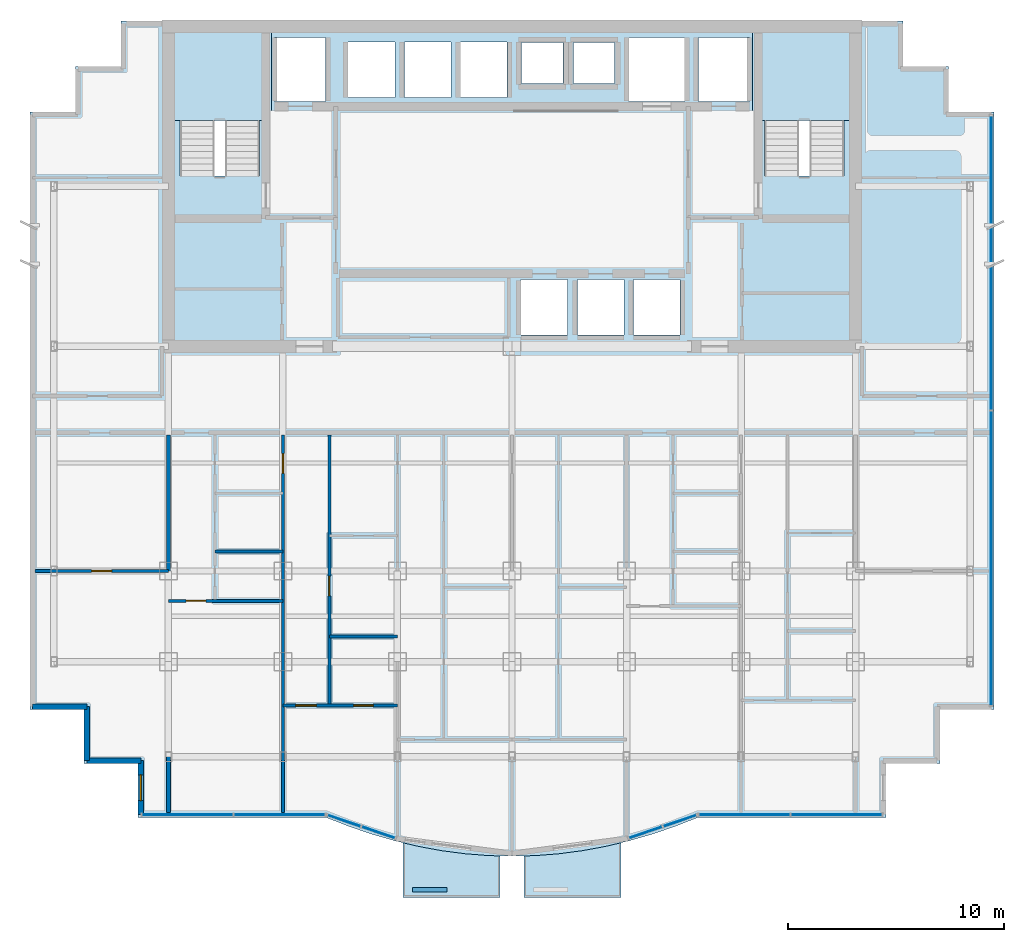
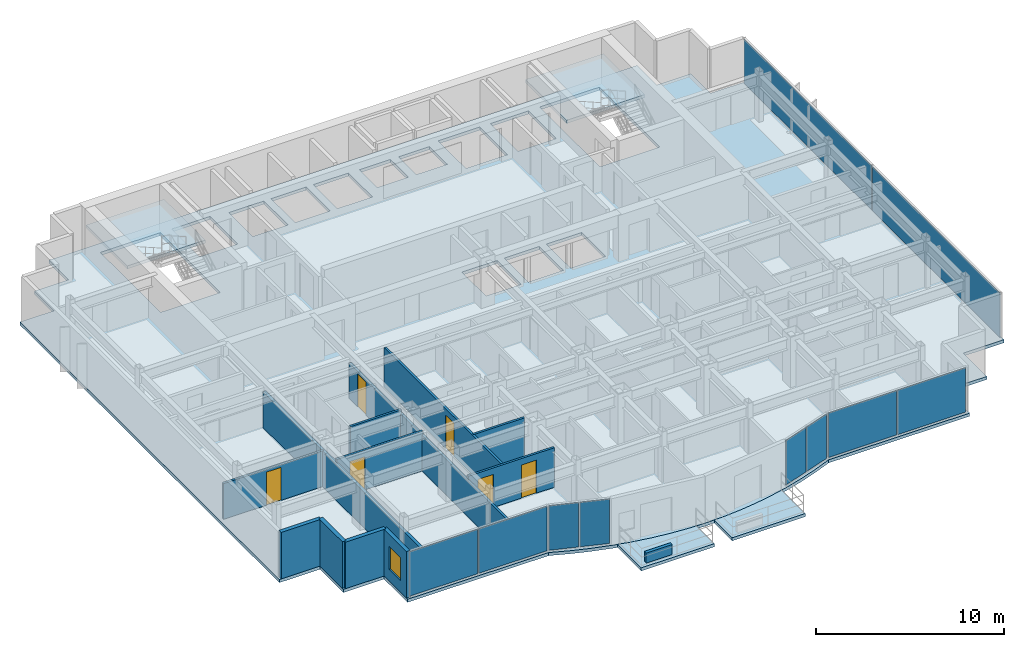
# One storey, part 7 of 13: 13 walls, 10 plates, 6 doors, 5 slabs, 1 window, 7 openings, 7 elements without a shape of their own.
"""IFC4 building model written with IfcOpenShell, lengths in metres."""

from ifc_helpers import new_model, si_unit, direction, frame, frame_2d, origin, origin_2d, place, context, subcontext, project, spatial, polyline, rectangle, outline, extrude, source, transform, mapped, material, layer, layer_set, type_object, element, fill, aggregate, save


model = new_model("IFC4")

# Units and contexts
model_context = context("Model", 3, precision=1e-05, world=origin(), true_north=direction((0.0, 1.0)))
body_context = subcontext(model_context, "Body", "Model", "MODEL_VIEW")
ifc_project = project(units=[si_unit("LENGTHUNIT", "METRE"), si_unit("AREAUNIT", "SQUARE_METRE"), si_unit("VOLUMEUNIT", "CUBIC_METRE"), si_unit("PLANEANGLEUNIT", "RADIAN"), si_unit("MASSUNIT", "GRAM", prefix="KILO")], contexts=[model_context])

# Site, building, storey
site_placement = place(None, origin())
site = spatial("IfcSite", under=ifc_project, at=site_placement, CompositionType="ELEMENT")
building_placement = place(site_placement, origin())
building = spatial("IfcBuilding", under=site, at=building_placement, Name="Qianlan Lanfeng Residences", CompositionType="ELEMENT")
storey_placement = place(building_placement, frame((0.0, 0.0, 182.10009765625)))
storey = spatial("IfcBuildingStorey", under=building, at=storey_placement, Name="L50", CompositionType="ELEMENT", Elevation=182.10009765625)

# Slabs
ifc_material_1 = material(Name="Concrete C42", Category="concrete")
ifc_layer_1 = layer(ifc_material_1, 0.199951171875)
ifc_layer_set_1 = layer_set([ifc_layer_1], Name="Concrete C42")
slab_type_1 = type_object("IfcSlabType", Name="S-BAL-200", PredefinedType="FLOOR", material=ifc_layer_set_1)
slab_1_placement = place(storey_placement, frame((0.0, 0.0, -0.2001953125)))
element("IfcSlab", 1, at=slab_1_placement, inside=storey, type_object=slab_type_1, Name="L50 Planted Tree Balcony Slab SB-W", PredefinedType="FLOOR", context=body_context, shape_type="SweptSolid", body=[
    extrude(outline(polyline([(25.949951171875, 1.614013671875), (25.422119140625, 1.6279296875), (24.344970703125, 1.712890625), (23.26708984375, 1.85302734375), (22.18994140625, 2.050048828125), (21.449951171875, 2.22412109375), (21.449951171875, -0.300048828125), (25.949951171875, -0.300048828125), (25.949951171875, 1.614013671875)])), origin(), (0.0, 0.0, 1.0), 0.2001953125),
])
slab_2_placement = place(storey_placement, frame((0.0, 0.0, -0.2001953125)))
element("IfcSlab", 2, at=slab_2_placement, inside=storey, type_object=slab_type_1, Name="L50 Planted Tree Balcony Slab SB-E", PredefinedType="FLOOR", context=body_context, shape_type="SweptSolid", body=[
    extrude(outline(polyline([(31.550048828125, 2.22412109375), (30.81005859375, 2.050048828125), (29.73193359375, 1.85302734375), (28.655029296875, 1.7119140625), (27.577880859375, 1.6279296875), (27.050048828125, 1.614013671875), (27.050048828125, -0.300048828125), (31.550048828125, -0.300048828125), (31.550048828125, 2.22412109375)])), origin(), (0.0, 0.0, 1.0), 0.2001953125),
])
ifc_layer_2 = layer(ifc_material_1, 0.199951171875)
ifc_layer_set_2 = layer_set([ifc_layer_2], Name="Concrete C42")
slab_type_2 = type_object("IfcSlabType", Name="S-FL-200", PredefinedType="FLOOR", material=ifc_layer_set_2)
slab_3_placement = place(storey_placement, frame((0.0, 0.0, -0.2001953125)))
element("IfcSlab", 3, at=slab_3_placement, inside=storey, type_object=slab_type_2, Name="L50 Structural Floor Slab", PredefinedType="FLOOR", context=body_context, shape_type="SweptSolid", body=[
    extrude(outline(polyline([(4.199951171875, 8.39990234375), (6.699951171875, 8.39990234375), (6.699951171875, 5.89990234375), (9.199951171875, 5.89990234375), (9.199951171875, 3.39990234375), (17.8798828125, 3.39990234375), (18.95703125, 2.97802734375), (20.034912109375, 2.612060546875), (21.112060546875, 2.302978515625), (22.18994140625, 2.050048828125), (23.26708984375, 1.85302734375), (24.344970703125, 1.712890625), (25.422119140625, 1.6279296875), (26.5, 1.60009765625), (27.577880859375, 1.6279296875), (28.655029296875, 1.7119140625), (29.73193359375, 1.85302734375), (30.81005859375, 2.050048828125), (31.886962890625, 2.302978515625), (32.965087890625, 2.612060546875), (34.0419921875, 2.97802734375), (35.1201171875, 3.39990234375), (43.800048828125, 3.39990234375), (43.800048828125, 5.89990234375), (46.300048828125, 5.89990234375), (46.300048828125, 8.39990234375), (48.800048828125, 8.39990234375), (48.800048828125, 36.050048828125), (46.699951171875, 36.050048828125), (46.699951171875, 38.14990234375), (44.60009765625, 38.14990234375), (44.60009765625, 40.25), (8.39990234375, 40.25), (8.39990234375, 38.14990234375), (6.300048828125, 38.14990234375), (6.300048828125, 36.050048828125), (4.199951171875, 36.050048828125), (4.199951171875, 8.39990234375)]), holes=[polyline([(11.139892578125, 33.080078125), (11.139892578125, 39.5), (14.820068359375, 39.5), (14.820068359375, 33.080078125), (11.139892578125, 33.080078125)]), polyline([(38.179931640625, 33.080078125), (38.179931640625, 39.5), (41.860107421875, 39.5), (41.860107421875, 33.080078125), (38.179931640625, 33.080078125)]), polyline([(15.52001953125, 36.52001953125), (15.52001953125, 39.47998046875), (17.8798828125, 39.47998046875), (17.8798828125, 36.52001953125), (15.52001953125, 36.52001953125)]), polyline([(35.1201171875, 36.52001953125), (35.1201171875, 39.47998046875), (37.47998046875, 39.47998046875), (37.47998046875, 36.52001953125), (35.1201171875, 36.52001953125)]), polyline([(31.919921875, 36.52001953125), (31.919921875, 39.47998046875), (34.47998046875, 39.47998046875), (34.47998046875, 36.52001953125), (31.919921875, 36.52001953125)]), polyline([(26.919921875, 25.719970703125), (26.919921875, 28.280029296875), (29.080078125, 28.280029296875), (29.080078125, 25.719970703125), (26.919921875, 25.719970703125)]), polyline([(29.52001953125, 25.719970703125), (29.52001953125, 28.280029296875), (31.679931640625, 28.280029296875), (31.679931640625, 25.719970703125), (29.52001953125, 25.719970703125)]), polyline([(32.1201171875, 25.719970703125), (32.1201171875, 28.280029296875), (34.280029296875, 28.280029296875), (34.280029296875, 25.719970703125), (32.1201171875, 25.719970703125)]), polyline([(18.919921875, 36.719970703125), (18.919921875, 39.280029296875), (21.080078125, 39.280029296875), (21.080078125, 36.719970703125), (18.919921875, 36.719970703125)]), polyline([(21.52001953125, 36.719970703125), (21.52001953125, 39.280029296875), (23.679931640625, 39.280029296875), (23.679931640625, 36.719970703125), (21.52001953125, 36.719970703125)]), polyline([(24.1201171875, 36.719970703125), (24.1201171875, 39.280029296875), (26.280029296875, 39.280029296875), (26.280029296875, 36.719970703125), (24.1201171875, 36.719970703125)]), polyline([(26.949951171875, 37.35009765625), (26.949951171875, 39.25), (28.85009765625, 39.25), (28.85009765625, 37.35009765625), (26.949951171875, 37.35009765625)]), polyline([(29.35009765625, 37.35009765625), (29.35009765625, 39.25), (31.25, 39.25), (31.25, 37.35009765625), (29.35009765625, 37.35009765625)])]), origin(), (0.0, 0.0, 1.0), 0.2001953125),
])

# Stair, slab
stair_type = type_object("IfcStairType", Name="STR-MAIN", PredefinedType="HALF_TURN_STAIR", material=ifc_material_1)
stair_1_placement = place(storey_placement, origin())
stair_1 = element("IfcStair", 4, at=stair_1_placement, inside=storey, type_object=stair_type, Name="L50 Exit Stair ST-1", PredefinedType="HALF_TURN_STAIR")
ifc_layer_3 = layer(ifc_material_1, 0.179931640625)
ifc_layer_set_3 = layer_set([ifc_layer_3], Name="Concrete C42")
slab_type_3 = type_object("IfcSlabType", Name="S-LND-180", PredefinedType="LANDING", material=ifc_layer_set_3)
slab_4_placement = place(storey_placement, frame((0.0, 0.0, 1.449951171875)))
slab_4 = element("IfcSlab", 5, at=slab_4_placement, type_object=slab_type_3, Name="ST-1 landing 1", PredefinedType="LANDING", context=body_context, shape_type="SweptSolid", body=[
    extrude(outline(polyline([(10.580078125, 35.659912109375), (15.3798828125, 35.659912109375), (15.3798828125, 40.050048828125), (10.580078125, 40.050048828125), (10.580078125, 35.659912109375)])), origin(), (0.0, 0.0, 1.0), 0.199951171875),
])
aggregate(stair_1, [slab_4])

stair_2_placement = place(storey_placement, origin())
stair_2 = element("IfcStair", 6, at=stair_2_placement, inside=storey, type_object=stair_type, Name="L50 Exit Stair ST-2", PredefinedType="HALF_TURN_STAIR")
slab_5_placement = place(storey_placement, frame((0.0, 0.0, 1.449951171875)))
slab_5 = element("IfcSlab", 7, at=slab_5_placement, type_object=slab_type_3, Name="ST-2 landing 1", PredefinedType="LANDING", context=body_context, shape_type="SweptSolid", body=[
    extrude(outline(polyline([(37.6201171875, 35.659912109375), (42.419921875, 35.659912109375), (42.419921875, 40.050048828125), (37.6201171875, 40.050048828125), (37.6201171875, 35.659912109375)])), origin(), (0.0, 0.0, 1.0), 0.199951171875),
])
aggregate(stair_2, [slab_5])

# Curtain wall, plates
ifc_material_2 = material(Name="Anodised Bronze Aluminium 6063-T6", Category="aluminium")
ifc_layer_4 = layer(ifc_material_2, 0.219970703125)
ifc_layer_set_4 = layer_set([ifc_layer_4], Name="Anodised Bronze Aluminium 6063-T6")
curtain_wall_type = type_object("IfcCurtainWallType", Name="CW-04", PredefinedType="NOTDEFINED", material=ifc_layer_set_4)
curtain_wall_1_placement = place(storey_placement, origin())
curtain_wall_1 = element("IfcCurtainWall", 8, at=curtain_wall_1_placement, inside=storey, type_object=curtain_wall_type, Name="L50 Unitised Curtain Wall CWR-L50-01 (CW-04)", PredefinedType="NOTDEFINED")
ifc_material_3 = material(Name="Dark Bronze Tinted Insulated Glass", Category="glass")
ifc_layer_5 = layer(ifc_material_3, 0.0380859375)
ifc_layer_set_5 = layer_set([ifc_layer_5], Name="Dark Bronze Tinted Insulated Glass")
plate_type_1 = type_object("IfcPlateType", Name="PNL-GLZ-BRZ", PredefinedType="CURTAIN_PANEL", material=ifc_layer_set_5)
shared_shape_1 = source(origin(), body_context, "Body", "SweptSolid", [
    extrude(rectangle(XDim=4.180908203125, YDim=0.0380859375, at=origin_2d()), origin(), (0.0, 0.0, 1.0), 2.882080078125),
])
plate_1_placement = place(storey_placement, frame((11.484619140625, 3.52001953125, 0.07373046875), z_axis=(0.0, 0.0, 1.0), x_axis=(1.0, 0.0, 0.0)))
plate_1 = element("IfcPlate", 9, at=plate_1_placement, type_object=plate_type_1, Name="CWR-L50-01 Curtain Panel 1", PredefinedType="CURTAIN_PANEL", context=body_context, shape_type="MappedRepresentation", body=[
    mapped(shared_shape_1, transform((0.0, 0.0, 0.0), scale=1.0)),
])
plate_2_placement = place(storey_placement, frame((15.738525390625, 3.52001953125, 0.07373046875), z_axis=(0.0, 0.0, 1.0), x_axis=(1.0, 0.0, 0.0)))
plate_2 = element("IfcPlate", 10, at=plate_2_placement, type_object=plate_type_1, Name="CWR-L50-01 Curtain Panel 2", PredefinedType="CURTAIN_PANEL", context=body_context, shape_type="MappedRepresentation", body=[
    mapped(shared_shape_1, transform((0.0, 0.0, 0.0), scale=1.0)),
])
aggregate(curtain_wall_1, [plate_1, plate_2])

# Curtain wall, plate
curtain_wall_2_placement = place(storey_placement, origin())
curtain_wall_2 = element("IfcCurtainWall", 11, at=curtain_wall_2_placement, inside=storey, type_object=curtain_wall_type, Name="L50 Unitised Curtain Wall CWR-L50-04 (CW-04)", PredefinedType="NOTDEFINED")
plate_3_placement = place(storey_placement, frame((37.261474609375, 3.52001953125, 0.07373046875), z_axis=(0.0, 0.0, 1.0), x_axis=(1.0, 0.0, 0.0)))
plate_3 = element("IfcPlate", 12, at=plate_3_placement, type_object=plate_type_1, Name="CWR-L50-04 Curtain Panel 1", PredefinedType="CURTAIN_PANEL", context=body_context, shape_type="MappedRepresentation", body=[
    mapped(shared_shape_1, transform((0.0, 0.0, 0.0), scale=1.0)),
])

# Curtain wall, plates
curtain_wall_3_placement = place(storey_placement, origin())
curtain_wall_3 = element("IfcCurtainWall", 13, at=curtain_wall_3_placement, inside=storey, type_object=curtain_wall_type, Name="L50 Unitised Curtain Wall CWR-L50-02 (CW-04)", PredefinedType="NOTDEFINED")
shared_shape_2 = source(origin(), body_context, "Body", "SweptSolid", [
    extrude(rectangle(XDim=1.60009765625, YDim=0.0380859375, at=origin_2d()), origin(), (0.0, 0.0, 1.0), 2.882080078125),
])
plate_4_placement = place(storey_placement, frame((18.73046875, 3.23876953125, 0.07373046875), z_axis=(0.0, 0.0, 1.0), x_axis=(0.946795963885, -0.321834433787, 0.0)))
plate_4 = element("IfcPlate", 14, at=plate_4_placement, type_object=plate_type_1, Name="CWR-L50-02 Curtain Panel 1", PredefinedType="CURTAIN_PANEL", context=body_context, shape_type="MappedRepresentation", body=[
    mapped(shared_shape_2, transform((0.0, 0.0, 0.0), scale=1.0)),
])
ifc_material_4 = material(Name="Perforated Champagne Gold Aluminium Panel", Category="aluminium")
ifc_layer_6 = layer(ifc_material_4, 0.0400390625)
ifc_layer_set_6 = layer_set([ifc_layer_6], Name="Perforated Champagne Gold Aluminium Panel")
plate_type_2 = type_object("IfcPlateType", Name="PNL-PRF-GLD", PredefinedType="CURTAIN_PANEL", material=ifc_layer_set_6)
shared_shape_3 = source(origin(), body_context, "Body", "SweptSolid", [
    extrude(rectangle(XDim=1.60009765625, YDim=0.0400390625, at=origin_2d()), origin(), (0.0, 0.0, 1.0), 2.882080078125),
])
plate_5_placement = place(storey_placement, frame((20.314453125, 2.7001953125, 0.07373046875), z_axis=(0.0, 0.0, 1.0), x_axis=(0.946795963885, -0.321834433787, 0.0)))
plate_5 = element("IfcPlate", 15, at=plate_5_placement, type_object=plate_type_2, Name="CWR-L50-02 Curtain Panel 2", PredefinedType="CURTAIN_PANEL", context=body_context, shape_type="MappedRepresentation", body=[
    mapped(shared_shape_3, transform((0.0, 0.0, 0.0), scale=1.0)),
])
aggregate(curtain_wall_3, [plate_4, plate_5])

curtain_wall_4_placement = place(storey_placement, origin())
curtain_wall_4 = element("IfcCurtainWall", 16, at=curtain_wall_4_placement, inside=storey, type_object=curtain_wall_type, Name="L50 Unitised Curtain Wall CWR-L50-03 (CW-04)", PredefinedType="NOTDEFINED")
shared_shape_4 = source(origin(), body_context, "Body", "SweptSolid", [
    extrude(rectangle(XDim=1.6005859375, YDim=0.0380859375, at=origin_2d()), origin(), (0.0, 0.0, 1.0), 2.882080078125),
])
plate_6_placement = place(storey_placement, frame((32.684814453125, 2.7001953125, 0.07373046875), z_axis=(0.0, 0.0, 1.0), x_axis=(0.946826291861, 0.32174519894, 0.0)))
plate_6 = element("IfcPlate", 17, at=plate_6_placement, type_object=plate_type_1, Name="CWR-L50-03 Curtain Panel 1", PredefinedType="CURTAIN_PANEL", context=body_context, shape_type="MappedRepresentation", body=[
    mapped(shared_shape_4, transform((0.0, 0.0, 0.0), scale=1.0)),
])
plate_7_placement = place(storey_placement, frame((34.269287109375, 3.23876953125, 0.07373046875), z_axis=(0.0, 0.0, 1.0), x_axis=(0.946826291861, 0.32174519894, 0.0)))
plate_7 = element("IfcPlate", 18, at=plate_7_placement, type_object=plate_type_1, Name="CWR-L50-03 Curtain Panel 2", PredefinedType="CURTAIN_PANEL", context=body_context, shape_type="MappedRepresentation", body=[
    mapped(shared_shape_4, transform((0.0, 0.0, 0.0), scale=1.0)),
])
aggregate(curtain_wall_4, [plate_6, plate_7])

# Plate
shared_shape_5 = source(origin(), body_context, "Body", "SweptSolid", [
    extrude(rectangle(XDim=4.180908203125, YDim=0.0400390625, at=origin_2d()), origin(), (0.0, 0.0, 1.0), 2.882080078125),
])
plate_8_placement = place(storey_placement, frame((41.515380859375, 3.52001953125, 0.07373046875), z_axis=(0.0, 0.0, 1.0), x_axis=(1.0, 0.0, 0.0)))
plate_8 = element("IfcPlate", 19, at=plate_8_placement, type_object=plate_type_2, Name="CWR-L50-04 Curtain Panel 2", PredefinedType="CURTAIN_PANEL", context=body_context, shape_type="MappedRepresentation", body=[
    mapped(shared_shape_5, transform((0.0, 0.0, 0.0), scale=1.0)),
])

aggregate(curtain_wall_2, [plate_3, plate_8])

# Curtain wall, plates
curtain_wall_5_placement = place(storey_placement, origin())
curtain_wall_5 = element("IfcCurtainWall", 20, at=curtain_wall_5_placement, inside=storey, type_object=curtain_wall_type, Name="L50 Unitised Curtain Wall CWR-L50-05 (CW-04)", PredefinedType="NOTDEFINED")
shared_shape_6 = source(origin(), body_context, "Body", "SweptSolid", [
    extrude(rectangle(XDim=13.594482421875, YDim=0.0380859375, at=origin_2d()), origin(), (0.0, 0.0, 1.0), 2.882080078125),
])
plate_9_placement = place(storey_placement, frame((48.679931640625, 15.39111328125, 0.07373046875), z_axis=(0.0, 0.0, 1.0), x_axis=(0.0, 1.0, 0.0)))
plate_9 = element("IfcPlate", 21, at=plate_9_placement, type_object=plate_type_1, Name="CWR-L50-05 Curtain Panel 1", PredefinedType="CURTAIN_PANEL", context=body_context, shape_type="MappedRepresentation", body=[
    mapped(shared_shape_6, transform((0.0, 0.0, 0.0), scale=1.0)),
])
plate_10_placement = place(storey_placement, frame((48.679931640625, 29.05859375, 0.07373046875), z_axis=(0.0, 0.0, 1.0), x_axis=(0.0, 1.0, 0.0)))
plate_10 = element("IfcPlate", 22, at=plate_10_placement, type_object=plate_type_1, Name="CWR-L50-05 Curtain Panel 2", PredefinedType="CURTAIN_PANEL", context=body_context, shape_type="MappedRepresentation", body=[
    mapped(shared_shape_6, transform((0.0, 0.0, 0.0), scale=1.0)),
])
aggregate(curtain_wall_5, [plate_9, plate_10])

# Walls
ifc_layer_7 = layer(ifc_material_1, 0.239990234375)
ifc_layer_set_7 = layer_set([ifc_layer_7], Name="Concrete C42")
wall_type_1 = type_object("IfcWallType", Name="EW-240", PredefinedType="SOLIDWALL", material=ifc_layer_set_7)
for number, where, z_axis, x_axis, name in (
    (23, (4.320068359375, 8.52001953125, 0.0), (0.0, 0.0, 1.0), (1.0, 0.0, 0.0), "L50 Exterior Facade Spandrel Wall 1"),
    (24, (6.820068359375, 8.52001953125, 0.0), (0.0, 0.0, 1.0), (0.0, -1.0, 0.0), "L50 Exterior Facade Spandrel Wall 2"),
    (25, (6.820068359375, 6.02001953125, 0.0), (0.0, 0.0, 1.0), (1.0, 0.0, 0.0), "L50 Exterior Facade Spandrel Wall 3"),
):
    element("IfcWall", number, at=place(storey_placement, frame(where, z_axis=z_axis, x_axis=x_axis)), inside=storey, type_object=wall_type_1, Name=name, PredefinedType="SOLIDWALL", context=body_context, shape_type="SweptSolid", body=[
        extrude(rectangle(XDim=2.5, YDim=0.239990234375, at=frame_2d((1.25, 0.0))), origin(), (0.0, 0.0, 1.0), 3.02978515625),
    ])

# Wall, opening, window
wall_1_placement = place(storey_placement, frame((9.320068359375, 6.02001953125, 0.0), z_axis=(0.0, 0.0, 1.0), x_axis=(0.0, -1.0, 0.0)))
wall_1 = element("IfcWall", 26, at=wall_1_placement, inside=storey, type_object=wall_type_1, Name="L50 Exterior Facade Spandrel Wall 4", PredefinedType="SOLIDWALL", context=body_context, shape_type="SweptSolid", body=[
    extrude(rectangle(XDim=2.5, YDim=0.239990234375, at=frame_2d((1.25, 0.0))), origin(), (0.0, 0.0, 1.0), 3.02978515625),
])
opening_1_placement = place(wall_1_placement, frame((0.64990234375, 0.0, 0.75)))
opening_1 = element("IfcOpeningElement", 27, at=opening_1_placement, cuts=wall_1, Name="Opening W-03", PredefinedType="OPENING", context=body_context, shape_type="SweptSolid", body=[
    extrude(rectangle(XDim=1.199951171875, YDim=1.5, at=frame_2d((0.60009765625, 0.75))), frame((0.0, 0.1298828125, 0.0), z_axis=(0.0, -1.0, 0.0), x_axis=(1.0, 0.0, 0.0)), (0.0, 0.0, 1.0), 0.260009765625),
])
ifc_material_5 = material(Name="Anodised Bronze Aluminium Framed Double Glazing", Category="aluminium")
window_type = type_object("IfcWindowType", Name="W-03", PartitioningType="SINGLE_PANEL", PredefinedType="WINDOW", material=ifc_material_5)
window_placement = place(opening_1_placement, origin())
window = element("IfcWindow", 28, at=window_placement, inside=storey, type_object=window_type, Name="L50 Facade Punched Window W-03", OverallHeight=1.5, OverallWidth=1.199951171875, PartitioningType="SINGLE_PANEL", PredefinedType="WINDOW", context=body_context, shape_type="SweptSolid", body=[
    extrude(rectangle(XDim=1.199951171875, YDim=1.5, at=frame_2d((0.60009765625, 0.75))), frame((0.0, 0.030029296875, 0.0), z_axis=(0.0, -1.0, 0.0), x_axis=(1.0, 0.0, 0.0)), (0.0, 0.0, 1.0), 0.06005859375),
])
fill(opening_1, window)

# Wall
ifc_layer_8 = layer(ifc_material_1, 0.199951171875)
ifc_layer_set_8 = layer_set([ifc_layer_8], Name="Concrete C42")
wall_type_2 = type_object("IfcWallType", Name="PL-TREE-200", PredefinedType="PARAPET", material=ifc_layer_set_8)
wall_2_placement = place(storey_placement, frame((21.89990234375, 0.050048828125, 0.0), z_axis=(0.0, 0.0, 1.0), x_axis=(1.0, 0.0, 0.0)))
element("IfcWall", 29, at=wall_2_placement, inside=storey, type_object=wall_type_2, Name="L50 Balcony Tree Planter Curb SB-W", PredefinedType="PARAPET", context=body_context, shape_type="SweptSolid", body=[
    extrude(rectangle(XDim=1.60009765625, YDim=0.199951171875, at=frame_2d((0.800048828125, 0.0))), origin(), (0.0, 0.0, 1.0), 0.64990234375),
])

# Wall, opening, door
ifc_material_6 = material(Name="Moisture-Resistant Gypsum Partition 135 mm")
ifc_layer_9 = layer(ifc_material_6, 0.135009765625)
ifc_layer_set_9 = layer_set([ifc_layer_9], Name="Moisture-Resistant Gypsum Partition 135 mm")
wall_type_3 = type_object("IfcWallType", Name="PW-135", PredefinedType="PARTITIONING", material=ifc_layer_set_9)
wall_3_placement = place(storey_placement, frame((15.89990234375, 3.6201171875, 0.0), z_axis=(0.0, 0.0, 1.0), x_axis=(0.0, 1.0, 0.0)))
wall_3 = element("IfcWall", 30, at=wall_3_placement, inside=storey, type_object=wall_type_3, Name="L50 U01 Bay Spine Wall 1", PredefinedType="PARTITIONING", context=body_context, shape_type="SweptSolid", body=[
    extrude(rectangle(XDim=17.47998046875, YDim=0.135009765625, at=frame_2d((8.739990234375, 0.0))), origin(), (0.0, 0.0, 1.0), 2.324951171875),
])
opening_2_placement = place(wall_3_placement, frame((15.695068359375, 0.0, 0.0)))
opening_2 = element("IfcOpeningElement", 31, at=opening_2_placement, cuts=wall_3, Name="Opening L50-D17", PredefinedType="OPENING", context=body_context, shape_type="SweptSolid", body=[
    extrude(rectangle(XDim=0.919921875, YDim=2.14990234375, at=frame_2d((0.4599609375, 1.074951171875))), frame((0.0, 0.07763671875, 0.0), z_axis=(0.0, -1.0, 0.0), x_axis=(1.0, 0.0, 0.0)), (0.0, 0.0, 1.0), 0.155029296875),
])
ifc_material_7 = material(Name="Glazed Timber Kitchen/Study Door", Category="wood")
door_type_1 = type_object("IfcDoorType", Name="DT-INT", OperationType="NOTDEFINED", PredefinedType="DOOR", material=ifc_material_7)
door_1_placement = place(opening_2_placement, origin())
door_1 = element("IfcDoor", 32, at=door_1_placement, inside=storey, type_object=door_type_1, Name="L50 U01 Internal Hall Door L50-D17 (DT-INT)", OperationType="SINGLE_SWING_RIGHT", OverallHeight=2.14990234375, OverallWidth=0.919921875, PredefinedType="DOOR", context=body_context, shape_type="SweptSolid", body=[
    extrude(rectangle(XDim=0.919921875, YDim=2.14990234375, at=frame_2d((0.4599609375, 1.074951171875))), frame((0.0, 0.02490234375, 0.0), z_axis=(0.0, -1.0, 0.0), x_axis=(1.0, 0.0, 0.0)), (0.0, 0.0, 1.0), 0.050048828125),
])
fill(opening_2, door_1)

wall_4_placement = place(storey_placement, frame((10.60009765625, 13.419921875, 0.0), z_axis=(0.0, 0.0, 1.0), x_axis=(1.0, 0.0, 0.0)))
wall_4 = element("IfcWall", 33, at=wall_4_placement, inside=storey, type_object=wall_type_3, Name="L50 U01 Living Divider", PredefinedType="PARTITIONING", context=body_context, shape_type="SweptSolid", body=[
    extrude(rectangle(XDim=5.2998046875, YDim=0.135009765625, at=frame_2d((2.64990234375, 0.0))), origin(), (0.0, 0.0, 1.0), 2.56982421875),
])
opening_3_placement = place(wall_4_placement, frame((0.81494140625, 0.0, 0.0)))
opening_3 = element("IfcOpeningElement", 34, at=opening_3_placement, cuts=wall_4, Name="Opening L50-D20", PredefinedType="OPENING", context=body_context, shape_type="SweptSolid", body=[
    extrude(rectangle(XDim=0.919921875, YDim=2.14990234375, at=frame_2d((0.4599609375, 1.074951171875))), frame((0.0, 0.07763671875, 0.0), z_axis=(0.0, -1.0, 0.0), x_axis=(1.0, 0.0, 0.0)), (0.0, 0.0, 1.0), 0.155029296875),
])
door_2_placement = place(opening_3_placement, origin())
door_2 = element("IfcDoor", 35, at=door_2_placement, inside=storey, type_object=door_type_1, Name="L50 U01 Living Passage Door L50-D20 (DT-INT)", OperationType="SINGLE_SWING_LEFT", OverallHeight=2.14990234375, OverallWidth=0.919921875, PredefinedType="DOOR", context=body_context, shape_type="SweptSolid", body=[
    extrude(rectangle(XDim=0.919921875, YDim=2.14990234375, at=frame_2d((0.4599609375, 1.074951171875))), frame((0.0, 0.02490234375, 0.0), z_axis=(0.0, -1.0, 0.0), x_axis=(1.0, 0.0, 0.0)), (0.0, 0.0, 1.0), 0.050048828125),
])
fill(opening_3, door_2)

# Wall
wall_5_placement = place(storey_placement, frame((12.75, 15.699951171875, 0.0), z_axis=(0.0, 0.0, 1.0), x_axis=(1.0, 0.0, 0.0)))
element("IfcWall", 36, at=wall_5_placement, inside=storey, type_object=wall_type_3, Name="L50 U01 Kitchen South Wall", PredefinedType="PARTITIONING", context=body_context, shape_type="SweptSolid", body=[
    extrude(rectangle(XDim=3.14990234375, YDim=0.135009765625, at=frame_2d((1.574951171875, 0.0))), origin(), (0.0, 0.0, 1.0), 2.56982421875),
])

# Wall, openings, doors
wall_6_placement = place(storey_placement, frame((15.89990234375, 8.573974609375, 0.0), z_axis=(0.0, 0.0, 1.0), x_axis=(1.0, 0.0, 0.0)))
wall_6 = element("IfcWall", 37, at=wall_6_placement, inside=storey, type_object=wall_type_3, Name="L50 U01 Master Bedroom North Wall", PredefinedType="PARTITIONING", context=body_context, shape_type="SweptSolid", body=[
    extrude(rectangle(XDim=5.300048828125, YDim=0.135009765625, at=frame_2d((2.64990234375, 0.0))), origin(), (0.0, 0.0, 1.0), 2.56982421875),
])
opening_4_placement = place(wall_6_placement, frame((0.60009765625, 0.0, 0.0)))
opening_4 = element("IfcOpeningElement", 38, at=opening_4_placement, cuts=wall_6, Name="Opening L50-D24", PredefinedType="OPENING", context=body_context, shape_type="SweptSolid", body=[
    extrude(rectangle(XDim=0.949951171875, YDim=2.14990234375, at=frame_2d((0.47509765625, 1.074951171875))), frame((0.0, 0.07763671875, 0.0), z_axis=(0.0, -1.0, 0.0), x_axis=(1.0, 0.0, 0.0)), (0.0, 0.0, 1.0), 0.155029296875),
])
opening_5_placement = place(wall_6_placement, frame((3.27490234375, 0.0, 0.0)))
opening_5 = element("IfcOpeningElement", 39, at=opening_5_placement, cuts=wall_6, Name="Opening L50-D25", PredefinedType="OPENING", context=body_context, shape_type="SweptSolid", body=[
    extrude(rectangle(XDim=0.89990234375, YDim=2.14990234375, at=frame_2d((0.449951171875, 1.074951171875))), frame((0.0, 0.07763671875, 0.0), z_axis=(0.0, -1.0, 0.0), x_axis=(1.0, 0.0, 0.0)), (0.0, 0.0, 1.0), 0.155029296875),
])
ifc_material_8 = material(Name="Painted Solid-Core Timber Leaf", Category="wood")
door_type_2 = type_object("IfcDoorType", Name="DT-BED", OperationType="NOTDEFINED", PredefinedType="DOOR", material=ifc_material_8)
door_3_placement = place(opening_4_placement, frame((0.949951171875, 0.0, 0.0), z_axis=(0.0, 0.0, 1.0), x_axis=(-1.0, 0.0, 0.0)))
door_3 = element("IfcDoor", 40, at=door_3_placement, inside=storey, type_object=door_type_2, Name="L50 U01 Master Bedroom Door L50-D24 (DT-BED)", OperationType="SINGLE_SWING_RIGHT", OverallHeight=2.14990234375, OverallWidth=0.949951171875, PredefinedType="DOOR", context=body_context, shape_type="SweptSolid", body=[
    extrude(rectangle(XDim=0.949951171875, YDim=2.14990234375, at=frame_2d((0.47509765625, 1.074951171875))), frame((0.0, 0.02490234375, 0.0), z_axis=(0.0, -1.0, 0.0), x_axis=(1.0, 0.0, 0.0)), (0.0, 0.0, 1.0), 0.050048828125),
])
fill(opening_4, door_3)
ifc_material_9 = material(Name="Moisture-Resistant Timber Leaf", Category="wood")
door_type_3 = type_object("IfcDoorType", Name="DT-WC", OperationType="NOTDEFINED", PredefinedType="DOOR", material=ifc_material_9)
door_4_placement = place(opening_5_placement, origin())
door_4 = element("IfcDoor", 41, at=door_4_placement, inside=storey, type_object=door_type_3, Name="L50 U01 En-Suite Bathroom Door L50-D25 (DT-WC)", OperationType="SINGLE_SWING_RIGHT", OverallHeight=2.14990234375, OverallWidth=0.89990234375, PredefinedType="DOOR", context=body_context, shape_type="SweptSolid", body=[
    extrude(rectangle(XDim=0.89990234375, YDim=2.14990234375, at=frame_2d((0.449951171875, 1.074951171875))), frame((0.0, 0.02490234375, 0.0), z_axis=(0.0, -1.0, 0.0), x_axis=(1.0, 0.0, 0.0)), (0.0, 0.0, 1.0), 0.050048828125),
])
fill(opening_5, door_4)

# Wall, opening, door
wall_7_placement = place(storey_placement, frame((18.050048828125, 8.573974609375, 0.0), z_axis=(0.0, 0.0, 1.0), x_axis=(0.0, 1.0, 0.0)))
wall_7 = element("IfcWall", 42, at=wall_7_placement, inside=storey, type_object=wall_type_3, Name="L50 U01 Master Passage Wall", PredefinedType="PARTITIONING", context=body_context, shape_type="SweptSolid", body=[
    extrude(rectangle(XDim=12.526123046875, YDim=0.135009765625, at=frame_2d((6.26318359375, 0.0))), origin(), (0.0, 0.0, 1.0), 2.56982421875),
])
opening_6_placement = place(wall_7_placement, frame((5.072021484375, 0.0, 0.0)))
opening_6 = element("IfcOpeningElement", 43, at=opening_6_placement, cuts=wall_7, Name="Opening L50-D26", PredefinedType="OPENING", context=body_context, shape_type="SweptSolid", body=[
    extrude(rectangle(XDim=0.919921875, YDim=2.14990234375, at=frame_2d((0.4599609375, 1.074951171875))), frame((0.0, 0.07763671875, 0.0), z_axis=(0.0, -1.0, 0.0), x_axis=(1.0, 0.0, 0.0)), (0.0, 0.0, 1.0), 0.155029296875),
])
door_5_placement = place(opening_6_placement, origin())
door_5 = element("IfcDoor", 44, at=door_5_placement, inside=storey, type_object=door_type_1, Name="L50 U01 Wardrobe Door L50-D26 (DT-INT)", OperationType="SINGLE_SWING_LEFT", OverallHeight=2.14990234375, OverallWidth=0.919921875, PredefinedType="DOOR", context=body_context, shape_type="SweptSolid", body=[
    extrude(rectangle(XDim=0.919921875, YDim=2.14990234375, at=frame_2d((0.4599609375, 1.074951171875))), frame((0.0, 0.02490234375, 0.0), z_axis=(0.0, -1.0, 0.0), x_axis=(1.0, 0.0, 0.0)), (0.0, 0.0, 1.0), 0.050048828125),
])
fill(opening_6, door_5)

# Wall
wall_8_placement = place(storey_placement, frame((18.050048828125, 11.77392578125, 0.0), z_axis=(0.0, 0.0, 1.0), x_axis=(1.0, 0.0, 0.0)))
element("IfcWall", 45, at=wall_8_placement, inside=storey, type_object=wall_type_3, Name="L50 U01 En-Suite North Wall", PredefinedType="PARTITIONING", context=body_context, shape_type="SweptSolid", body=[
    extrude(rectangle(XDim=3.14990234375, YDim=0.135009765625, at=frame_2d((1.574951171875, 0.0))), origin(), (0.0, 0.0, 1.0), 2.56982421875),
])

# Wall, opening, door
wall_9_placement = place(storey_placement, frame((4.419921875, 14.800048828125, 0.0), z_axis=(0.0, 0.0, 1.0), x_axis=(1.0, 0.0, 0.0)))
wall_9 = element("IfcWall", 46, at=wall_9_placement, inside=storey, type_object=wall_type_3, Name="L50 SWP Mid Partition", PredefinedType="PARTITIONING", context=body_context, shape_type="SweptSolid", body=[
    extrude(rectangle(XDim=6.18017578125, YDim=0.135009765625, at=frame_2d((3.090087890625, 0.0))), origin(), (0.0, 0.0, 1.0), 2.324951171875),
])
opening_7_placement = place(wall_9_placement, frame((2.6298828125, 0.0, 0.0)))
opening_7 = element("IfcOpeningElement", 47, at=opening_7_placement, cuts=wall_9, Name="Opening L50-D44", PredefinedType="OPENING", context=body_context, shape_type="SweptSolid", body=[
    extrude(rectangle(XDim=0.919921875, YDim=2.14990234375, at=frame_2d((0.4599609375, 1.074951171875))), frame((0.0, 0.07763671875, 0.0), z_axis=(0.0, -1.0, 0.0), x_axis=(1.0, 0.0, 0.0)), (0.0, 0.0, 1.0), 0.155029296875),
])
door_6_placement = place(opening_7_placement, origin())
door_6 = element("IfcDoor", 48, at=door_6_placement, inside=storey, type_object=door_type_1, Name="L50 SWP Inner Door L50-D44 (DT-INT)", OperationType="SINGLE_SWING_LEFT", OverallHeight=2.14990234375, OverallWidth=0.919921875, PredefinedType="DOOR", context=body_context, shape_type="SweptSolid", body=[
    extrude(rectangle(XDim=0.919921875, YDim=2.14990234375, at=frame_2d((0.4599609375, 1.074951171875))), frame((0.0, 0.02490234375, 0.0), z_axis=(0.0, -1.0, 0.0), x_axis=(1.0, 0.0, 0.0)), (0.0, 0.0, 1.0), 0.050048828125),
])
fill(opening_7, door_6)

# Wall
ifc_material_10 = material(Name="Double-Layer Acoustic Gypsum Stud Wall 180 mm")
ifc_layer_10 = layer(ifc_material_10, 0.179931640625)
ifc_layer_set_10 = layer_set([ifc_layer_10], Name="Double-Layer Acoustic Gypsum Stud Wall 180 mm")
wall_type_4 = type_object("IfcWallType", Name="PW-180", PredefinedType="PARTITIONING", material=ifc_layer_set_10)
wall_10_placement = place(storey_placement, frame((10.60009765625, 3.6201171875, 0.0), z_axis=(0.0, 0.0, 1.0), x_axis=(0.0, 1.0, 0.0)))
element("IfcWall", 49, at=wall_10_placement, inside=storey, type_object=wall_type_4, Name="L50 Wing Boundary Party Wall W0", PredefinedType="PARTITIONING", context=body_context, shape_type="SweptSolid", body=[
    extrude(rectangle(XDim=17.47998046875, YDim=0.179931640625, at=frame_2d((8.739990234375, 0.0))), origin(), (0.0, 0.0, 1.0), 2.324951171875),
])

save(model, "model.ifc")
